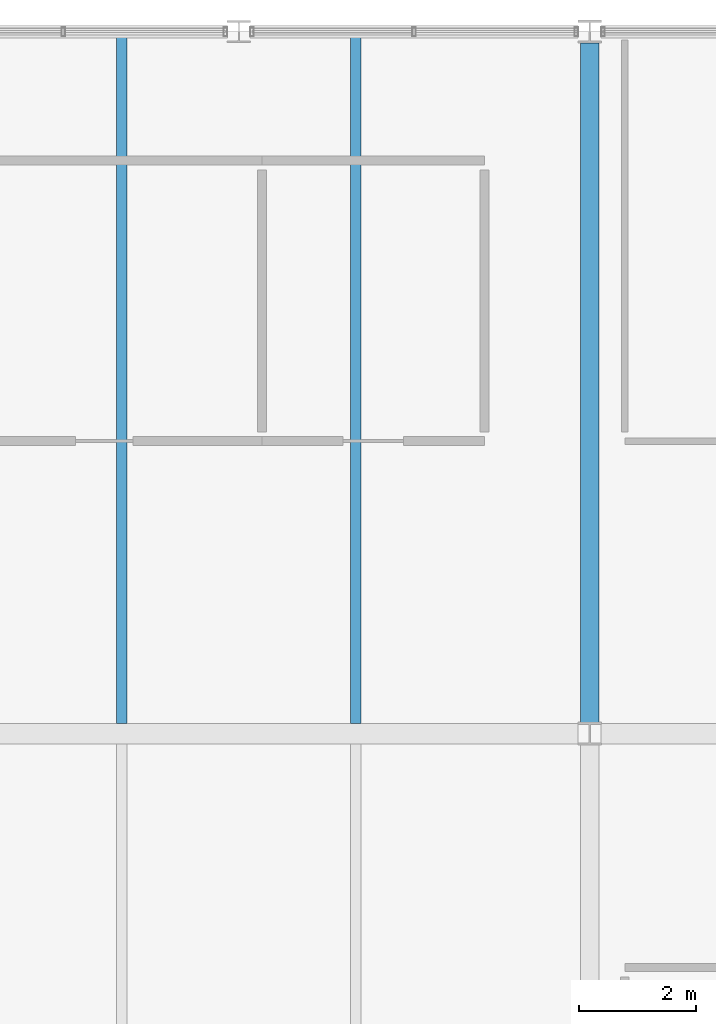
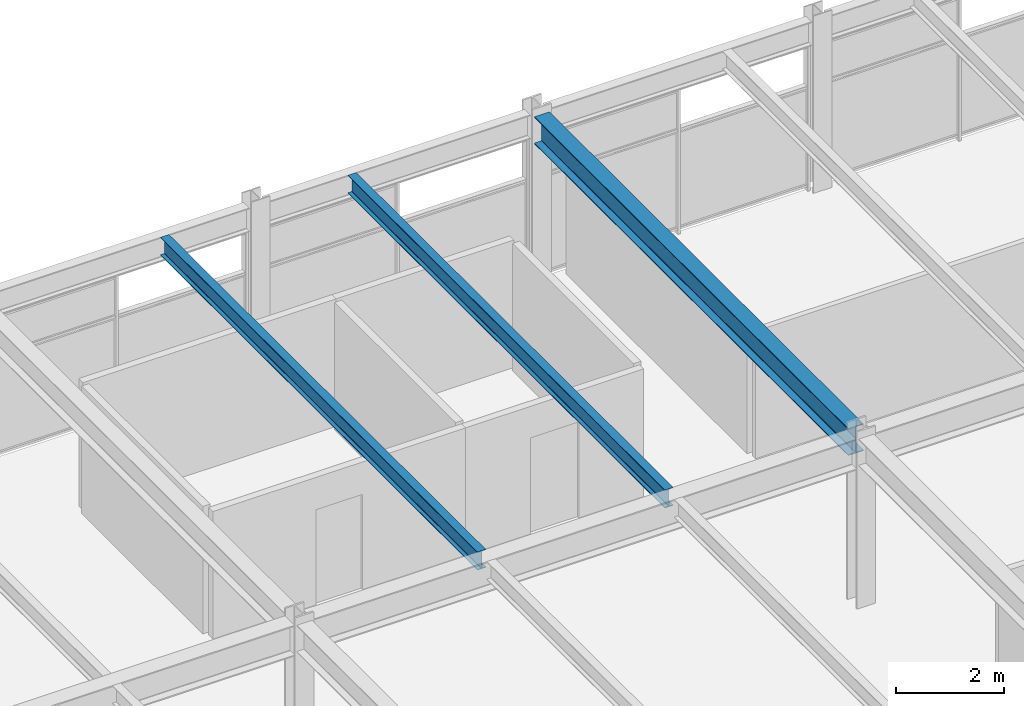
# One storey, part 24 of 51: 3 beams.
"""IFC4 building model written with IfcOpenShell, lengths in metres."""

from ifc_helpers import new_model, si_unit, direction, frame, origin, origin_2d, place, context, subcontext, project, spatial, i_section, extrude, material, material_profile, profile_set, type_object, element, save


model = new_model("IFC4")

# Units and contexts
model_context = context("Model", 3, precision=1e-05, world=origin(), true_north=direction((0.0, 1.0)))
body_context = subcontext(model_context, "Body", "Model", "MODEL_VIEW")
ifc_project = project(units=[si_unit("LENGTHUNIT", "METRE"), si_unit("AREAUNIT", "SQUARE_METRE"), si_unit("VOLUMEUNIT", "CUBIC_METRE"), si_unit("PLANEANGLEUNIT", "RADIAN"), si_unit("MASSUNIT", "GRAM", prefix="KILO")], contexts=[model_context])

# Site, building, storey
site_placement = place(None, origin())
site = spatial("IfcSite", under=ifc_project, at=site_placement, CompositionType="ELEMENT")
building_placement = place(site_placement, origin())
building = spatial("IfcBuilding", under=site, at=building_placement, Name="Girod Span Mobility Hub", CompositionType="ELEMENT")
storey_placement = place(building_placement, frame((0.0, 0.0, 41.60009765625)))
storey = spatial("IfcBuildingStorey", under=building, at=storey_placement, Name="L10", CompositionType="ELEMENT", Elevation=41.60009765625)

# Beams
ifc_material_1 = material(Name="Steel A992 Grade 50", Category="steel")
ifc_material_profile_1 = material_profile(ifc_material_1, i_section(OverallWidth=0.178955078125, OverallDepth=0.409912109375, WebThickness=0.0087890625, FlangeThickness=0.014404296875, FilletRadius=0.012939453125, at=origin_2d()), Name="W16X45")
ifc_profile_set_1 = profile_set([ifc_material_profile_1], Name="Steel A992 Grade 50")
beam_type_1 = type_object("IfcBeamType", Name="BM-STL-W16X45", PredefinedType="BEAM", material=ifc_profile_set_1)
for number, where, z_axis, x_axis, name in (
    (1, (76.0, 57.174560546875, 3.619873046875), (0.0, 1.0, 0.0), (-1.0, 0.0, 0.0), "Composite Floorbeam 7/E-1 L10"),
    (2, (80.0, 57.174560546875, 3.619873046875), (0.0, 1.0, 0.0), (-1.0, 0.0, 0.0), "Composite Floorbeam 7/E-2 L10"),
):
    element("IfcBeam", number, at=place(storey_placement, frame(where, z_axis=z_axis, x_axis=x_axis)), inside=storey, type_object=beam_type_1, Name=name, PredefinedType="BEAM", context=body_context, shape_type="SweptSolid", body=[
        extrude(i_section(OverallWidth=0.178955078125, OverallDepth=0.409912109375, WebThickness=0.0087890625, FlangeThickness=0.014404296875, FilletRadius=0.012939453125, at=origin_2d()), origin(), (0.0, 0.0, 1.0), 11.722412109375),
    ])
ifc_material_2 = material(Name="Steel A992 Grade 50", Category="steel")
ifc_material_profile_2 = material_profile(ifc_material_2, i_section(OverallWidth=0.323974609375, OverallDepth=0.611083984375, WebThickness=0.0126953125, FlangeThickness=0.01904296875, FilletRadius=0.014892578125, at=origin_2d()), Name="W24X104")
ifc_profile_set_2 = profile_set([ifc_material_profile_2], Name="Steel A992 Grade 50")
beam_type_2 = type_object("IfcBeamType", Name="BM-STL-W24X104", PredefinedType="BEAM", material=ifc_profile_set_2)
beam_placement = place(storey_placement, frame((84.0, 57.193603515625, 3.519287109375), z_axis=(0.0, 1.0, 0.0), x_axis=(-1.0, 0.0, 0.0)))
element("IfcBeam", 3, at=beam_placement, inside=storey, type_object=beam_type_2, Name="Tie Girder 8/E-F L10", PredefinedType="BEAM", context=body_context, shape_type="SweptSolid", body=[
    extrude(i_section(OverallWidth=0.323974609375, OverallDepth=0.611083984375, WebThickness=0.0126953125, FlangeThickness=0.01904296875, FilletRadius=0.014892578125, at=origin_2d()), origin(), (0.0, 0.0, 1.0), 11.61279296875),
])

save(model, "model.ifc")
